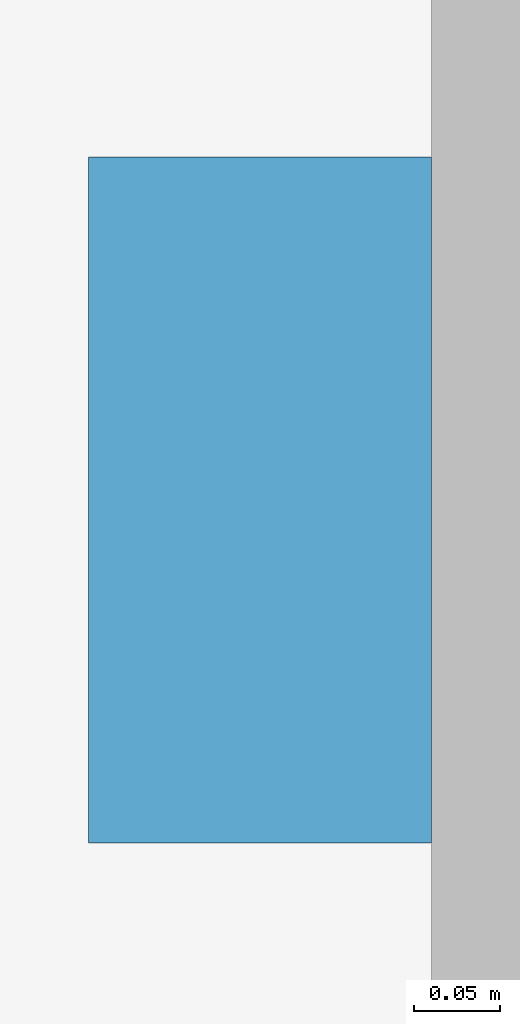
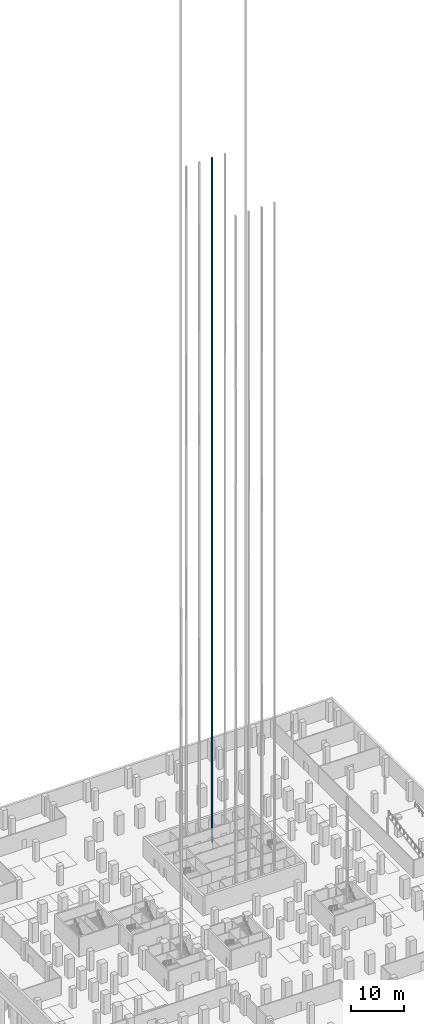
# One storey, part 32 of 37: 1 discrete accessory.
"""IFC4 building model written with IfcOpenShell, lengths in metres."""

from ifc_helpers import new_model, si_unit, direction, frame, origin, origin_2d, place, context, subcontext, project, spatial, rectangle, extrude, material, element, save


model = new_model("IFC4")

# Units and contexts
model_context = context("Model", 3, precision=1e-05, world=origin(), true_north=direction((0.0, 1.0)))
body_context = subcontext(model_context, "Body", "Model", "MODEL_VIEW")
ifc_project = project(units=[si_unit("LENGTHUNIT", "METRE"), si_unit("AREAUNIT", "SQUARE_METRE"), si_unit("VOLUMEUNIT", "CUBIC_METRE"), si_unit("PLANEANGLEUNIT", "RADIAN"), si_unit("MASSUNIT", "GRAM", prefix="KILO")], contexts=[model_context])

# Site, building, storey
site_placement = place(None, origin())
site = spatial("IfcSite", under=ifc_project, at=site_placement, CompositionType="ELEMENT")
building_placement = place(site_placement, origin())
building = spatial("IfcBuilding", under=site, at=building_placement, Name="Quoin Convention Tower", CompositionType="ELEMENT")
storey_placement = place(building_placement, frame((0.0, 0.0, -9.0)))
storey = spatial("IfcBuildingStorey", under=building, at=storey_placement, Name="B2", CompositionType="ELEMENT", Elevation=-9.0)

# Discrete accessory
ifc_material = material(Name="Galvanised steel", Category="steel")
discrete_accessory_placement = place(storey_placement, frame((58.85009765625, 70.050048828125, -0.349853515625), z_axis=(0.0, 0.0, 1.0), x_axis=(1.0, 0.0, 0.0)))
element("IfcDiscreteAccessory", 1, at=discrete_accessory_placement, inside=storey, material=ifc_material, Name="LIFT GUIDE RAILS L7", ObjectType="Lift guide rails", PredefinedType="USERDEFINED", context=body_context, shape_type="SweptSolid", body=[
    extrude(rectangle(XDim=0.199951171875, YDim=0.39990234375, at=origin_2d()), origin(), (0.0, 0.0, 1.0), 156.89990234375),
])

save(model, "model.ifc")
